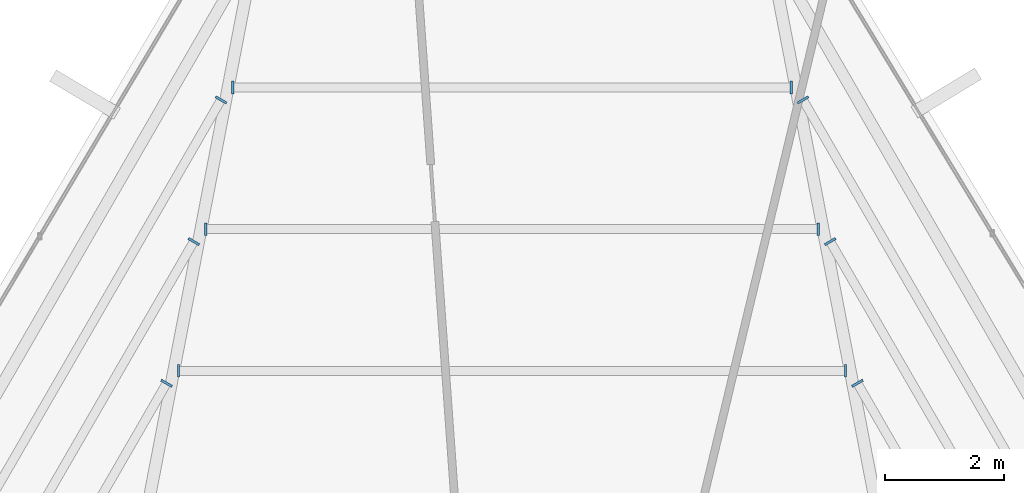
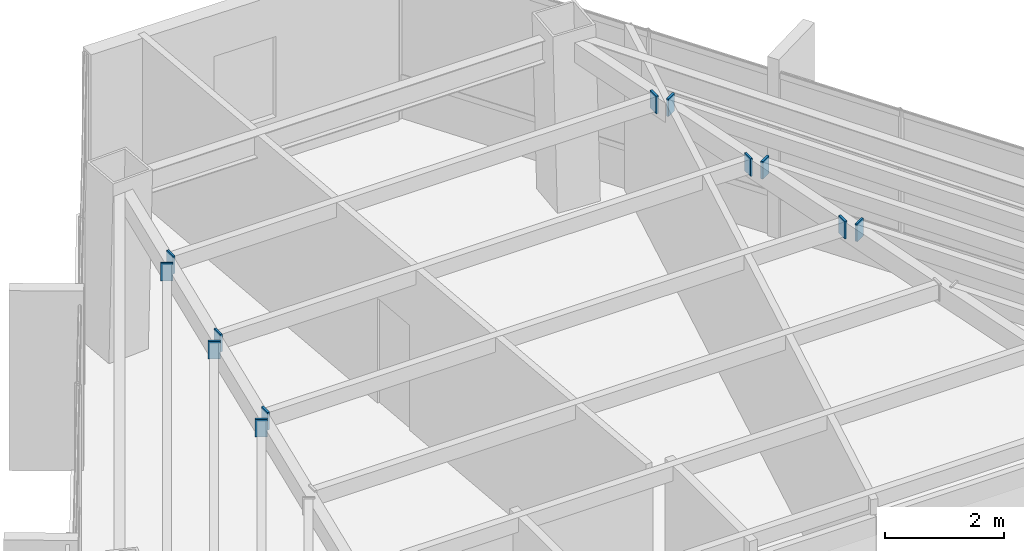
# One storey, part 43 of 49: 12 plates.
"""IFC4 building model written with IfcOpenShell, lengths in metres."""

from ifc_helpers import new_model, si_unit, direction, frame, origin, origin_2d, place, context, subcontext, project, spatial, rectangle, extrude, source, transform, mapped, material, layer, layer_set, type_object, type_shapes, element, save


model = new_model("IFC4")

# Units and contexts
model_context = context("Model", 3, precision=1e-05, world=origin(), true_north=direction((0.0, 1.0)))
body_context = subcontext(model_context, "Body", "Model", "MODEL_VIEW")
ifc_project = project(units=[si_unit("LENGTHUNIT", "METRE"), si_unit("AREAUNIT", "SQUARE_METRE"), si_unit("VOLUMEUNIT", "CUBIC_METRE"), si_unit("PLANEANGLEUNIT", "RADIAN"), si_unit("MASSUNIT", "GRAM", prefix="KILO")], contexts=[model_context])

# Site, building, storey
site_placement = place(None, origin())
site = spatial("IfcSite", under=ifc_project, at=site_placement, CompositionType="ELEMENT")
building_placement = place(site_placement, origin())
building = spatial("IfcBuilding", under=site, at=building_placement, Name="Caelisora Broadcast Tower", CompositionType="ELEMENT")
storey_placement = place(building_placement, frame((0.0, 0.0, 233.5)))
storey = spatial("IfcBuildingStorey", under=building, at=storey_placement, Name="L61", CompositionType="ELEMENT", Elevation=233.5)

# Plates
ifc_material = material(Name="Steel Grade 350 L15 (AS/NZS 3678)", Category="steel")
ifc_layer = layer(ifc_material, 0.0400390625, Name="Steel Grade 350 L15 (AS/NZS 3678)")
ifc_layer_set = layer_set([ifc_layer], Name="Steel Grade 350 L15 (AS/NZS 3678)")
plate_type = type_object("IfcPlateType", Name="GP04", PredefinedType="USERDEFINED", material=ifc_layer_set)
shared_shape = source(origin(), body_context, "Body", "SweptSolid", [
    extrude(rectangle(XDim=0.2099609375, YDim=0.0400390625, at=origin_2d()), origin(), (0.0, 0.0, 1.0), 0.360107421875),
])
type_shapes(plate_type, [shared_shape])
for number, where, z_axis, x_axis, name in (
    (1, (43.595947265625, 39.509033203125, 3.06982421875), (0.0, 0.0, 1.0), (0.0, -1.0, 0.0), "L61 gusset plate GP04 (ND-SB-L61-004A)"),
    (2, (32.404052734375, 39.509033203125, 3.06982421875), (0.0, 0.0, 1.0), (0.0, -1.0, 0.0), "L61 gusset plate GP04 (ND-SB-L61-004B)"),
    (3, (43.1396484375, 41.88623046875, 3.06982421875), (0.0, 0.0, 1.0), (0.0, -1.0, 0.0), "L61 gusset plate GP04 (ND-SB-L61-005A)"),
    (4, (32.8603515625, 41.88623046875, 3.06982421875), (0.0, 0.0, 1.0), (0.0, -1.0, 0.0), "L61 gusset plate GP04 (ND-SB-L61-005B)"),
    (5, (42.683349609375, 44.263427734375, 3.06982421875), (0.0, 0.0, 1.0), (0.0, -1.0, 0.0), "L61 gusset plate GP04 (ND-SB-L61-006A)"),
    (6, (33.316650390625, 44.263427734375, 3.06982421875), (0.0, 0.0, 1.0), (0.0, -1.0, 0.0), "L61 gusset plate GP04 (ND-SB-L61-006B)"),
    (7, (32.205078125, 39.301025390625, 3.06982421875), (0.0, 0.0, 1.0), (0.866025403784, -0.5, 0.0), "L61 gusset plate GP04 (ND-SB-L61-009A)"),
    (8, (32.66162109375, 41.67822265625, 3.06982421875), (0.0, 0.0, 1.0), (0.866025403784, -0.5, 0.0), "L61 gusset plate GP04 (ND-SB-L61-010A)"),
    (9, (33.117919921875, 44.055419921875, 3.06982421875), (0.0, 0.0, 1.0), (0.866025403784, -0.5, 0.0), "L61 gusset plate GP04 (ND-SB-L61-011A)"),
    (10, (43.794921875, 39.301025390625, 3.06982421875), (0.0, 0.0, 1.0), (-0.866025403784, -0.5, 0.0), "L61 gusset plate GP04 (ND-SB-L61-060B)"),
    (11, (43.33837890625, 41.67822265625, 3.06982421875), (0.0, 0.0, 1.0), (-0.866025403784, -0.5, 0.0), "L61 gusset plate GP04 (ND-SB-L61-061B)"),
    (12, (42.882080078125, 44.055419921875, 3.06982421875), (0.0, 0.0, 1.0), (-0.866025403784, -0.5, 0.0), "L61 gusset plate GP04 (ND-SB-L61-062B)"),
):
    element("IfcPlate", number, at=place(storey_placement, frame(where, z_axis=z_axis, x_axis=x_axis)), inside=storey, type_object=plate_type, Name=name, ObjectType="GUSSET PLATE", PredefinedType="USERDEFINED", context=body_context, shape_type="MappedRepresentation", body=[
        mapped(shared_shape, transform((0.0, 0.0, 0.0), scale=1.0)),
    ])

save(model, "model.ifc")
